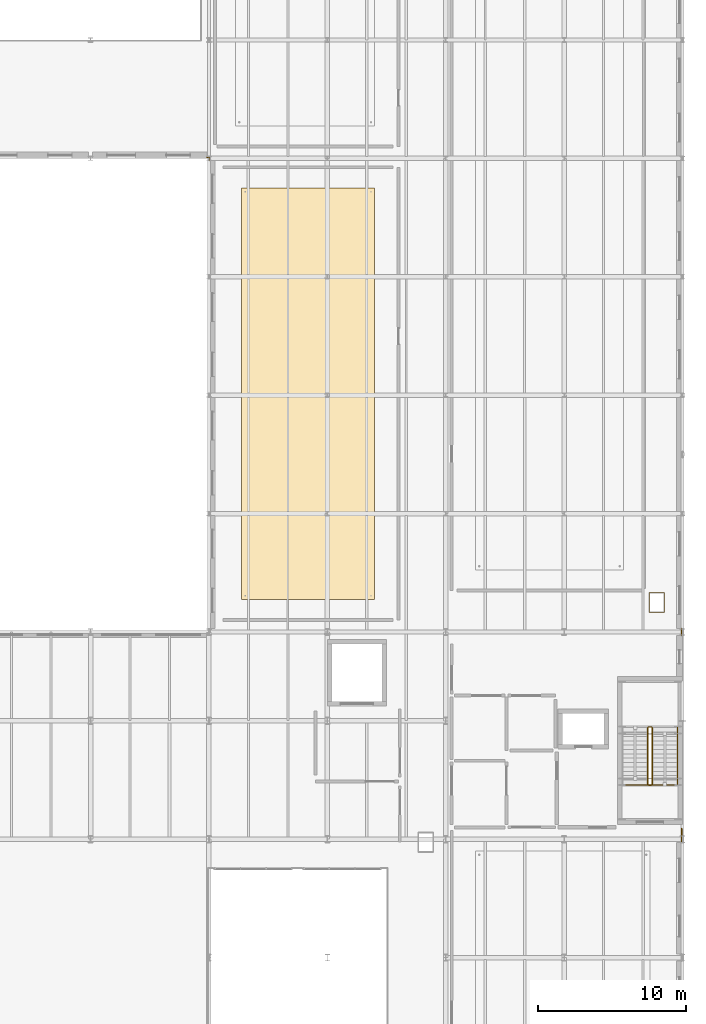
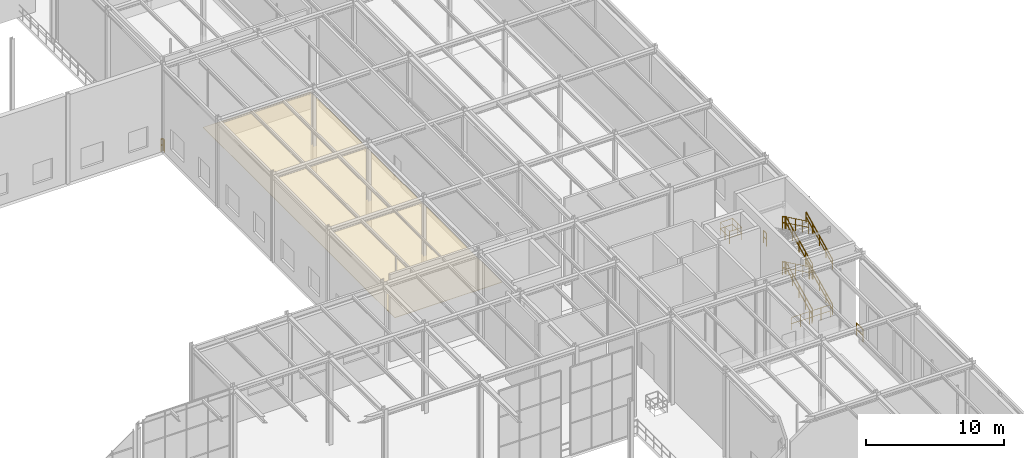
# One storey, part 136 of 138: 16 railings, 1 covering.
"""IFC4 building model written with IfcOpenShell, lengths in metres."""

from ifc_helpers import new_model, si_unit, direction, frame, origin, origin_2d, place, context, subcontext, project, spatial, polyline, circle, outline, extrude, material, layer, layer_set, type_object, element, save


model = new_model("IFC4")

# Units and contexts
model_context = context("Model", 3, precision=1e-05, world=origin(), true_north=direction((0.0, 1.0)))
body_context = subcontext(model_context, "Body", "Model", "MODEL_VIEW")
ifc_project = project(units=[si_unit("LENGTHUNIT", "METRE"), si_unit("AREAUNIT", "SQUARE_METRE"), si_unit("VOLUMEUNIT", "CUBIC_METRE"), si_unit("PLANEANGLEUNIT", "RADIAN"), si_unit("MASSUNIT", "GRAM", prefix="KILO")], contexts=[model_context])

# Site, building, storey
site_placement = place(None, origin())
site = spatial("IfcSite", under=ifc_project, at=site_placement, CompositionType="ELEMENT")
building_placement = place(site_placement, origin())
building = spatial("IfcBuilding", under=site, at=building_placement, Name="Sundkrona Museum", CompositionType="ELEMENT")
storey_placement = place(building_placement, frame((0.0, 0.0, 9.60009765625)))
storey = spatial("IfcBuildingStorey", under=building, at=storey_placement, Name="L02", CompositionType="ELEMENT", Elevation=9.60009765625)

# Covering
ifc_material_1 = material(Name="Perforated Acoustic Gypsum and Mineral Wool Ceiling", Category="other")
ifc_layer = layer(ifc_material_1, 0.0400390625)
ifc_layer_set = layer_set([ifc_layer], Name="Perforated Acoustic Gypsum and Mineral Wool Ceiling")
covering_type = type_object("IfcCoveringType", Name="COV-CEIL-AC", PredefinedType="CEILING", material=ifc_layer_set)
covering_placement = place(storey_placement, frame((0.0, 0.0, 2.5498046875)))
element("IfcCovering", 1, at=covering_placement, inside=storey, type_object=covering_type, Name="L02 Specimen Preparation Laboratory Acoustic Ceiling", PredefinedType="CEILING", context=body_context, shape_type="SweptSolid", body=[
    extrude(outline(polyline([(138.199951171875, 48.199951171875), (147.199951171875, 48.199951171875), (147.199951171875, 76.0), (138.199951171875, 76.0), (138.199951171875, 48.199951171875)])), origin(), (0.0, 0.0, 1.0), 0.0400390625),
])

# Railings
ifc_material_2 = material(Name="Painted Steel S355J2 and Laminated Glass Balustrade", Category="steel")
railing_type_1 = type_object("IfcRailingType", Name="RL-GUARD-1100", PredefinedType="BALUSTRADE", material=ifc_material_2)
railing_1_placement = place(storey_placement, frame((165.949951171875, 35.699951171875, 0.142822265625)))
element("IfcRailing", 2, at=railing_1_placement, inside=storey, type_object=railing_type_1, Name="L02 ST-1 stair guard 1", PredefinedType="BALUSTRADE", context=body_context, shape_type="SweptSolid", body=[
    extrude(circle(Radius=0.02392578125, at=origin_2d()), frame((0.0, 0.0, 1.076171875), z_axis=(0.0, 0.900016444443, 0.435855939195), x_axis=(-1.0, 0.0, 0.0)), (0.0, 0.0, 1.0), 4.260986328125),
    extrude(circle(Radius=0.02392578125, at=origin_2d()), frame((0.0, 0.0, 0.550048828125), z_axis=(0.0, 0.900016444443, 0.435855939195), x_axis=(-1.0, 0.0, 0.0)), (0.0, 0.0, 1.0), 4.260986328125),
    extrude(circle(Radius=0.02099609375, at=origin_2d()), origin(), (0.0, 0.0, 1.0), 1.052001953125),
    extrude(circle(Radius=0.02099609375, at=origin_2d()), frame((0.0, 0.958740234375, 0.46435546875)), (0.0, 0.0, 1.0), 1.052001953125),
    extrude(circle(Radius=0.02099609375, at=origin_2d()), frame((0.0, 1.91748046875, 0.9287109375)), (0.0, 0.0, 1.0), 1.052001953125),
    extrude(circle(Radius=0.02099609375, at=origin_2d()), frame((0.0, 2.876220703125, 1.392822265625)), (0.0, 0.0, 1.0), 1.052001953125),
    extrude(circle(Radius=0.02099609375, at=origin_2d()), frame((0.0, 3.8349609375, 1.857177734375)), (0.0, 0.0, 1.0), 1.052001953125),
])
railing_2_placement = place(storey_placement, frame((165.89990234375, 39.5849609375, 2.0)))
element("IfcRailing", 3, at=railing_2_placement, inside=storey, type_object=railing_type_1, Name="L02 ST-1 stair guard 2", PredefinedType="BALUSTRADE", context=body_context, shape_type="SweptSolid", body=[
    extrude(circle(Radius=0.02392578125, at=origin_2d()), frame((0.0, 0.0, 1.076171875), z_axis=(-1.0, 0.0, 0.0), x_axis=(0.0, -1.0, 0.0)), (0.0, 0.0, 1.0), 0.199951171875),
    extrude(circle(Radius=0.02392578125, at=origin_2d()), frame((0.0, 0.0, 0.550048828125), z_axis=(-1.0, 0.0, 0.0), x_axis=(0.0, -1.0, 0.0)), (0.0, 0.0, 1.0), 0.199951171875),
    extrude(circle(Radius=0.02099609375, at=origin_2d()), origin(), (0.0, 0.0, 1.0), 1.052001953125),
    extrude(circle(Radius=0.02099609375, at=origin_2d()), frame((-0.199951171875, 0.0, 0.0)), (0.0, 0.0, 1.0), 1.052001953125),
])
railing_3_placement = place(storey_placement, frame((165.64990234375, 39.534912109375, 2.142822265625)))
element("IfcRailing", 4, at=railing_3_placement, inside=storey, type_object=railing_type_1, Name="L02 ST-1 stair guard 3", PredefinedType="BALUSTRADE", context=body_context, shape_type="SweptSolid", body=[
    extrude(circle(Radius=0.02392578125, at=origin_2d()), frame((0.0, 0.0, 1.076171875), z_axis=(0.0, -0.900016444443, 0.435855939195), x_axis=(1.0, 0.0, 0.0)), (0.0, 0.0, 1.0), 4.260986328125),
    extrude(circle(Radius=0.02392578125, at=origin_2d()), frame((0.0, 0.0, 0.550048828125), z_axis=(0.0, -0.900016444443, 0.435855939195), x_axis=(1.0, 0.0, 0.0)), (0.0, 0.0, 1.0), 4.260986328125),
    extrude(circle(Radius=0.02099609375, at=origin_2d()), origin(), (0.0, 0.0, 1.0), 1.052001953125),
    extrude(circle(Radius=0.02099609375, at=origin_2d()), frame((0.0, -0.958740234375, 0.46435546875)), (0.0, 0.0, 1.0), 1.052001953125),
    extrude(circle(Radius=0.02099609375, at=origin_2d()), frame((0.0, -1.91748046875, 0.9287109375)), (0.0, 0.0, 1.0), 1.052001953125),
    extrude(circle(Radius=0.02099609375, at=origin_2d()), frame((0.0, -2.876220703125, 1.392822265625)), (0.0, 0.0, 1.0), 1.052001953125),
    extrude(circle(Radius=0.02099609375, at=origin_2d()), frame((0.0, -3.8349609375, 1.857177734375)), (0.0, 0.0, 1.0), 1.052001953125),
])
railing_4_placement = place(storey_placement, frame((165.89990234375, 35.64990234375, 4.0)))
element("IfcRailing", 5, at=railing_4_placement, inside=storey, type_object=railing_type_1, Name="L02 ST-1 stair guard 4", PredefinedType="BALUSTRADE", context=body_context, shape_type="SweptSolid", body=[
    extrude(circle(Radius=0.02392578125, at=origin_2d()), frame((0.0, 0.0, 1.076171875), z_axis=(-1.0, 0.0, 0.0), x_axis=(0.0, -1.0, 0.0)), (0.0, 0.0, 1.0), 0.199951171875),
    extrude(circle(Radius=0.02392578125, at=origin_2d()), frame((0.0, 0.0, 0.550048828125), z_axis=(-1.0, 0.0, 0.0), x_axis=(0.0, -1.0, 0.0)), (0.0, 0.0, 1.0), 0.199951171875),
    extrude(circle(Radius=0.02099609375, at=origin_2d()), origin(), (0.0, 0.0, 1.0), 1.052001953125),
    extrude(circle(Radius=0.02099609375, at=origin_2d()), frame((-0.199951171875, 0.0, 0.0)), (0.0, 0.0, 1.0), 1.052001953125),
])
railing_5_placement = place(storey_placement, frame((165.949951171875, 35.699951171875, 4.142822265625)))
element("IfcRailing", 6, at=railing_5_placement, inside=storey, type_object=railing_type_1, Name="L02 ST-1 stair guard 5", PredefinedType="BALUSTRADE", context=body_context, shape_type="SweptSolid", body=[
    extrude(circle(Radius=0.02392578125, at=origin_2d()), frame((0.0, 0.0, 1.076171875), z_axis=(0.0, 0.900016444443, 0.435855939195), x_axis=(-1.0, 0.0, 0.0)), (0.0, 0.0, 1.0), 4.260986328125),
    extrude(circle(Radius=0.02392578125, at=origin_2d()), frame((0.0, 0.0, 0.550048828125), z_axis=(0.0, 0.900016444443, 0.435855939195), x_axis=(-1.0, 0.0, 0.0)), (0.0, 0.0, 1.0), 4.260986328125),
    extrude(circle(Radius=0.02099609375, at=origin_2d()), origin(), (0.0, 0.0, 1.0), 1.052001953125),
    extrude(circle(Radius=0.02099609375, at=origin_2d()), frame((0.0, 0.958740234375, 0.46435546875)), (0.0, 0.0, 1.0), 1.052001953125),
    extrude(circle(Radius=0.02099609375, at=origin_2d()), frame((0.0, 1.91748046875, 0.9287109375)), (0.0, 0.0, 1.0), 1.052001953125),
    extrude(circle(Radius=0.02099609375, at=origin_2d()), frame((0.0, 2.876220703125, 1.392822265625)), (0.0, 0.0, 1.0), 1.052001953125),
    extrude(circle(Radius=0.02099609375, at=origin_2d()), frame((0.0, 3.8349609375, 1.857177734375)), (0.0, 0.0, 1.0), 1.052001953125),
])
railing_6_placement = place(storey_placement, frame((165.89990234375, 39.5849609375, 6.0)))
element("IfcRailing", 7, at=railing_6_placement, inside=storey, type_object=railing_type_1, Name="L02 ST-1 stair guard 6", PredefinedType="BALUSTRADE", context=body_context, shape_type="SweptSolid", body=[
    extrude(circle(Radius=0.02392578125, at=origin_2d()), frame((0.0, 0.0, 1.076171875), z_axis=(-1.0, 0.0, 0.0), x_axis=(0.0, -1.0, 0.0)), (0.0, 0.0, 1.0), 0.199951171875),
    extrude(circle(Radius=0.02392578125, at=origin_2d()), frame((0.0, 0.0, 0.550048828125), z_axis=(-1.0, 0.0, 0.0), x_axis=(0.0, -1.0, 0.0)), (0.0, 0.0, 1.0), 0.199951171875),
    extrude(circle(Radius=0.02099609375, at=origin_2d()), origin(), (0.0, 0.0, 1.0), 1.052001953125),
    extrude(circle(Radius=0.02099609375, at=origin_2d()), frame((-0.199951171875, 0.0, 0.0)), (0.0, 0.0, 1.0), 1.052001953125),
])
railing_7_placement = place(storey_placement, frame((165.64990234375, 39.534912109375, 6.142822265625)))
element("IfcRailing", 8, at=railing_7_placement, inside=storey, type_object=railing_type_1, Name="L02 ST-1 stair guard 7", PredefinedType="BALUSTRADE", context=body_context, shape_type="SweptSolid", body=[
    extrude(circle(Radius=0.02392578125, at=origin_2d()), frame((0.0, 0.0, 1.076171875), z_axis=(0.0, -0.900016444443, 0.435855939195), x_axis=(1.0, 0.0, 0.0)), (0.0, 0.0, 1.0), 4.260986328125),
    extrude(circle(Radius=0.02392578125, at=origin_2d()), frame((0.0, 0.0, 0.550048828125), z_axis=(0.0, -0.900016444443, 0.435855939195), x_axis=(1.0, 0.0, 0.0)), (0.0, 0.0, 1.0), 4.260986328125),
    extrude(circle(Radius=0.02099609375, at=origin_2d()), origin(), (0.0, 0.0, 1.0), 1.052001953125),
    extrude(circle(Radius=0.02099609375, at=origin_2d()), frame((0.0, -0.958740234375, 0.46435546875)), (0.0, 0.0, 1.0), 1.052001953125),
    extrude(circle(Radius=0.02099609375, at=origin_2d()), frame((0.0, -1.91748046875, 0.9287109375)), (0.0, 0.0, 1.0), 1.052001953125),
    extrude(circle(Radius=0.02099609375, at=origin_2d()), frame((0.0, -2.876220703125, 1.392822265625)), (0.0, 0.0, 1.0), 1.052001953125),
    extrude(circle(Radius=0.02099609375, at=origin_2d()), frame((0.0, -3.8349609375, 1.857177734375)), (0.0, 0.0, 1.0), 1.052001953125),
])
railing_8_placement = place(storey_placement, frame((165.89990234375, 35.64990234375, 0.0)))
element("IfcRailing", 9, at=railing_8_placement, inside=storey, type_object=railing_type_1, Name="L02 ST-1 stair guard 8", PredefinedType="BALUSTRADE", context=body_context, shape_type="SweptSolid", body=[
    extrude(circle(Radius=0.02392578125, at=origin_2d()), frame((0.0, 0.0, 1.076171875), z_axis=(-1.0, 0.0, 0.0), x_axis=(0.0, -1.0, 0.0)), (0.0, 0.0, 1.0), 0.199951171875),
    extrude(circle(Radius=0.02392578125, at=origin_2d()), frame((0.0, 0.0, 0.550048828125), z_axis=(-1.0, 0.0, 0.0), x_axis=(0.0, -1.0, 0.0)), (0.0, 0.0, 1.0), 0.199951171875),
    extrude(circle(Radius=0.02099609375, at=origin_2d()), origin(), (0.0, 0.0, 1.0), 1.052001953125),
    extrude(circle(Radius=0.02099609375, at=origin_2d()), frame((-0.199951171875, 0.0, 0.0)), (0.0, 0.0, 1.0), 1.052001953125),
])
railing_9_placement = place(storey_placement, frame((136.06005859375, 77.85791015625, 0.0)))
element("IfcRailing", 10, at=railing_9_placement, inside=storey, type_object=railing_type_1, Name="L02 Edge Protection Balustrade 046", PredefinedType="BALUSTRADE", context=body_context, shape_type="SweptSolid", body=[
    extrude(circle(Radius=0.02392578125, at=origin_2d()), frame((0.0, 0.0, 1.09619140625), z_axis=(0.0, 1.0, 0.0), x_axis=(-1.0, 0.0, 0.0)), (0.0, 0.0, 1.0), 0.2021484375),
    extrude(circle(Radius=0.02392578125, at=origin_2d()), frame((0.0, 0.0, 0.56005859375), z_axis=(0.0, 1.0, 0.0), x_axis=(-1.0, 0.0, 0.0)), (0.0, 0.0, 1.0), 0.2021484375),
    extrude(circle(Radius=0.02392578125, at=origin_2d()), frame((0.0, 0.2021484375, 1.09619140625), z_axis=(-1.0, 0.0, 0.0), x_axis=(0.0, -1.0, 0.0)), (0.0, 0.0, 1.0), 0.2021484375),
    extrude(circle(Radius=0.02392578125, at=origin_2d()), frame((0.0, 0.2021484375, 0.56005859375), z_axis=(-1.0, 0.0, 0.0), x_axis=(0.0, -1.0, 0.0)), (0.0, 0.0, 1.0), 0.2021484375),
    extrude(circle(Radius=0.02099609375, at=origin_2d()), origin(), (0.0, 0.0, 1.0), 1.072021484375),
    extrude(circle(Radius=0.02099609375, at=origin_2d()), frame((0.0, 0.2021484375, 0.0)), (0.0, 0.0, 1.0), 1.072021484375),
    extrude(circle(Radius=0.02099609375, at=origin_2d()), frame((-0.2021484375, 0.2021484375, 0.0)), (0.0, 0.0, 1.0), 1.072021484375),
])
railing_10_placement = place(storey_placement, frame((164.179931640625, 35.6650390625, 0.0)))
element("IfcRailing", 11, at=railing_10_placement, inside=storey, type_object=railing_type_1, Name="L02 Edge Protection Balustrade 056", PredefinedType="BALUSTRADE", context=body_context, shape_type="SweptSolid", body=[
    extrude(circle(Radius=0.02392578125, at=origin_2d()), frame((0.0, 0.0, 1.09619140625), z_axis=(1.0, 0.0, 0.0), x_axis=(0.0, 1.0, 0.0)), (0.0, 0.0, 1.0), 1.52001953125),
    extrude(circle(Radius=0.02392578125, at=origin_2d()), frame((0.0, 0.0, 0.56005859375), z_axis=(1.0, 0.0, 0.0), x_axis=(0.0, 1.0, 0.0)), (0.0, 0.0, 1.0), 1.52001953125),
    extrude(circle(Radius=0.02099609375, at=origin_2d()), origin(), (0.0, 0.0, 1.0), 1.072021484375),
    extrude(circle(Radius=0.02099609375, at=origin_2d()), frame((0.760009765625, 0.0, 0.0)), (0.0, 0.0, 1.0), 1.072021484375),
    extrude(circle(Radius=0.02099609375, at=origin_2d()), frame((1.52001953125, 0.0, 0.0)), (0.0, 0.0, 1.0), 1.072021484375),
])
railing_11_placement = place(storey_placement, frame((166.760009765625, 48.659912109375, 0.0)))
element("IfcRailing", 12, at=railing_11_placement, inside=storey, type_object=railing_type_1, Name="L02 Edge Protection Balustrade 057", PredefinedType="BALUSTRADE", context=body_context, shape_type="SweptSolid", body=[
    extrude(circle(Radius=0.02392578125, at=origin_2d()), frame((0.0, 0.0, 1.09619140625), z_axis=(-1.0, 0.0, 0.0), x_axis=(0.0, -1.0, 0.0)), (0.0, 0.0, 1.0), 1.02001953125),
    extrude(circle(Radius=0.02392578125, at=origin_2d()), frame((0.0, 0.0, 0.56005859375), z_axis=(-1.0, 0.0, 0.0), x_axis=(0.0, -1.0, 0.0)), (0.0, 0.0, 1.0), 1.02001953125),
    extrude(circle(Radius=0.02392578125, at=origin_2d()), frame((-1.02001953125, 0.0, 1.09619140625), z_axis=(0.0, -1.0, 0.0), x_axis=(1.0, 0.0, 0.0)), (0.0, 0.0, 1.0), 1.31982421875),
    extrude(circle(Radius=0.02392578125, at=origin_2d()), frame((-1.02001953125, 0.0, 0.56005859375), z_axis=(0.0, -1.0, 0.0), x_axis=(1.0, 0.0, 0.0)), (0.0, 0.0, 1.0), 1.31982421875),
    extrude(circle(Radius=0.02392578125, at=origin_2d()), frame((-1.02001953125, -1.31982421875, 1.09619140625), z_axis=(1.0, 0.0, 0.0), x_axis=(0.0, 1.0, 0.0)), (0.0, 0.0, 1.0), 1.02001953125),
    extrude(circle(Radius=0.02392578125, at=origin_2d()), frame((-1.02001953125, -1.31982421875, 0.56005859375), z_axis=(1.0, 0.0, 0.0), x_axis=(0.0, 1.0, 0.0)), (0.0, 0.0, 1.0), 1.02001953125),
    extrude(circle(Radius=0.02392578125, at=origin_2d()), frame((0.0, -1.31982421875, 1.09619140625), z_axis=(0.0, 1.0, 0.0), x_axis=(-1.0, 0.0, 0.0)), (0.0, 0.0, 1.0), 1.31982421875),
    extrude(circle(Radius=0.02392578125, at=origin_2d()), frame((0.0, -1.31982421875, 0.56005859375), z_axis=(0.0, 1.0, 0.0), x_axis=(-1.0, 0.0, 0.0)), (0.0, 0.0, 1.0), 1.31982421875),
    extrude(circle(Radius=0.02099609375, at=origin_2d()), origin(), (0.0, 0.0, 1.0), 1.072021484375),
    extrude(circle(Radius=0.02099609375, at=origin_2d()), frame((-1.02001953125, 0.0, 0.0)), (0.0, 0.0, 1.0), 1.072021484375),
    extrude(circle(Radius=0.02099609375, at=origin_2d()), frame((-1.02001953125, -0.659912109375, 0.0)), (0.0, 0.0, 1.0), 1.072021484375),
    extrude(circle(Radius=0.02099609375, at=origin_2d()), frame((-1.02001953125, -1.31982421875, 0.0)), (0.0, 0.0, 1.0), 1.072021484375),
    extrude(circle(Radius=0.02099609375, at=origin_2d()), frame((0.0, -1.31982421875, 0.0)), (0.0, 0.0, 1.0), 1.072021484375),
    extrude(circle(Radius=0.02099609375, at=origin_2d()), frame((0.0, -0.659912109375, 0.0)), (0.0, 0.0, 1.0), 1.072021484375),
])
railing_12_placement = place(storey_placement, frame((165.89990234375, 35.6650390625, 0.0)))
element("IfcRailing", 13, at=railing_12_placement, inside=storey, type_object=railing_type_1, Name="L02 Edge Protection Balustrade 058", PredefinedType="BALUSTRADE", context=body_context, shape_type="SweptSolid", body=[
    extrude(circle(Radius=0.02392578125, at=origin_2d()), frame((0.0, 0.0, 1.09619140625), z_axis=(1.0, 0.0, 0.0), x_axis=(0.0, 1.0, 0.0)), (0.0, 0.0, 1.0), 1.52001953125),
    extrude(circle(Radius=0.02392578125, at=origin_2d()), frame((0.0, 0.0, 0.56005859375), z_axis=(1.0, 0.0, 0.0), x_axis=(0.0, 1.0, 0.0)), (0.0, 0.0, 1.0), 1.52001953125),
    extrude(circle(Radius=0.02099609375, at=origin_2d()), origin(), (0.0, 0.0, 1.0), 1.072021484375),
    extrude(circle(Radius=0.02099609375, at=origin_2d()), frame((0.760009765625, 0.0, 0.0)), (0.0, 0.0, 1.0), 1.072021484375),
    extrude(circle(Radius=0.02099609375, at=origin_2d()), frame((1.52001953125, 0.0, 0.0)), (0.0, 0.0, 1.0), 1.072021484375),
])
railing_13_placement = place(storey_placement, frame((167.93994140625, 32.719970703125, 0.0)))
element("IfcRailing", 14, at=railing_13_placement, inside=storey, type_object=railing_type_1, Name="L02 Edge Protection Balustrade 062", PredefinedType="BALUSTRADE", context=body_context, shape_type="SweptSolid", body=[
    extrude(circle(Radius=0.02392578125, at=origin_2d()), frame((0.0, 0.0, 1.09619140625), z_axis=(0.0, -1.0, 0.0), x_axis=(1.0, 0.0, 0.0)), (0.0, 0.0, 1.0), 0.947021484375),
    extrude(circle(Radius=0.02392578125, at=origin_2d()), frame((0.0, 0.0, 0.56005859375), z_axis=(0.0, -1.0, 0.0), x_axis=(1.0, 0.0, 0.0)), (0.0, 0.0, 1.0), 0.947021484375),
    extrude(circle(Radius=0.02099609375, at=origin_2d()), origin(), (0.0, 0.0, 1.0), 1.072021484375),
    extrude(circle(Radius=0.02099609375, at=origin_2d()), frame((0.0, -0.947021484375, 0.0)), (0.0, 0.0, 1.0), 1.072021484375),
])
railing_14_placement = place(storey_placement, frame((167.93994140625, 46.22705078125, 0.0)))
element("IfcRailing", 15, at=railing_14_placement, inside=storey, type_object=railing_type_1, Name="L02 Edge Protection Balustrade 063", PredefinedType="BALUSTRADE", context=body_context, shape_type="SweptSolid", body=[
    extrude(circle(Radius=0.02392578125, at=origin_2d()), frame((0.0, 0.0, 1.09619140625), z_axis=(0.0, -1.0, 0.0), x_axis=(1.0, 0.0, 0.0)), (0.0, 0.0, 1.0), 0.4541015625),
    extrude(circle(Radius=0.02392578125, at=origin_2d()), frame((0.0, 0.0, 0.56005859375), z_axis=(0.0, -1.0, 0.0), x_axis=(1.0, 0.0, 0.0)), (0.0, 0.0, 1.0), 0.4541015625),
    extrude(circle(Radius=0.02099609375, at=origin_2d()), origin(), (0.0, 0.0, 1.0), 1.072021484375),
    extrude(circle(Radius=0.02099609375, at=origin_2d()), frame((0.0, -0.4541015625, 0.0)), (0.0, 0.0, 1.0), 1.072021484375),
])
ifc_material_3 = material(Name="Brushed Bronze-Clad Steel Handrail", Category="steel")
railing_type_2 = type_object("IfcRailingType", Name="RL-HAND-900", PredefinedType="HANDRAIL", material=ifc_material_3)
for number, where, name in (
    (16, (167.64990234375, 35.699951171875, 0.142822265625), "L02 ST-1 stair handrail 1"),
    (17, (167.64990234375, 35.699951171875, 4.142822265625), "L02 ST-1 stair handrail 3"),
):
    element("IfcRailing", number, at=place(storey_placement, frame(where)), inside=storey, type_object=railing_type_2, Name=name, PredefinedType="HANDRAIL", context=body_context, shape_type="SweptSolid", body=[
        extrude(circle(Radius=0.02392578125, at=origin_2d()), frame((0.0, 0.0, 0.8759765625), z_axis=(0.0, 0.900016444443, 0.435855939195), x_axis=(-1.0, 0.0, 0.0)), (0.0, 0.0, 1.0), 4.260986328125),
        extrude(circle(Radius=0.02392578125, at=origin_2d()), frame((0.0, 0.0, 0.449951171875), z_axis=(0.0, 0.900016444443, 0.435855939195), x_axis=(-1.0, 0.0, 0.0)), (0.0, 0.0, 1.0), 4.260986328125),
        extrude(circle(Radius=0.02099609375, at=origin_2d()), origin(), (0.0, 0.0, 1.0), 0.851806640625),
        extrude(circle(Radius=0.02099609375, at=origin_2d()), frame((0.0, 0.958740234375, 0.46435546875)), (0.0, 0.0, 1.0), 0.851806640625),
        extrude(circle(Radius=0.02099609375, at=origin_2d()), frame((0.0, 1.91748046875, 0.9287109375)), (0.0, 0.0, 1.0), 0.851806640625),
        extrude(circle(Radius=0.02099609375, at=origin_2d()), frame((0.0, 2.876220703125, 1.392822265625)), (0.0, 0.0, 1.0), 0.851806640625),
        extrude(circle(Radius=0.02099609375, at=origin_2d()), frame((0.0, 3.8349609375, 1.857177734375)), (0.0, 0.0, 1.0), 0.851806640625),
    ])

save(model, "model.ifc")
